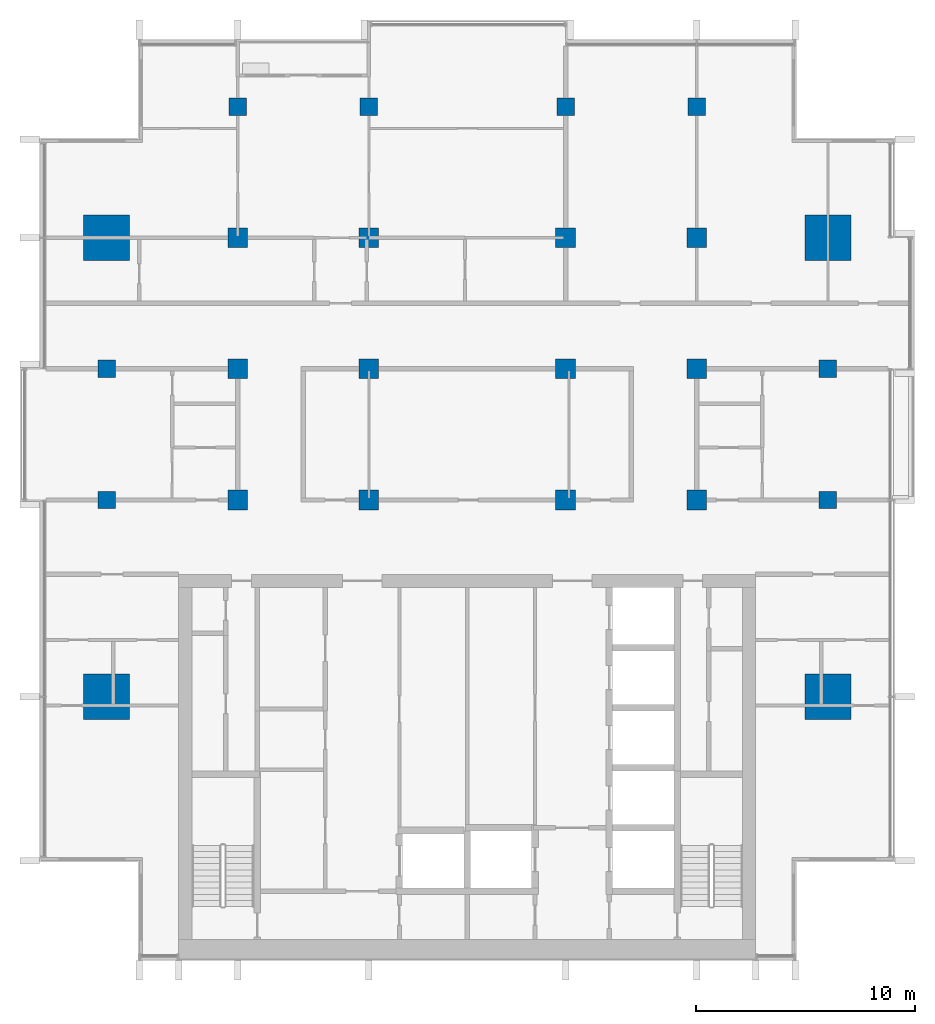
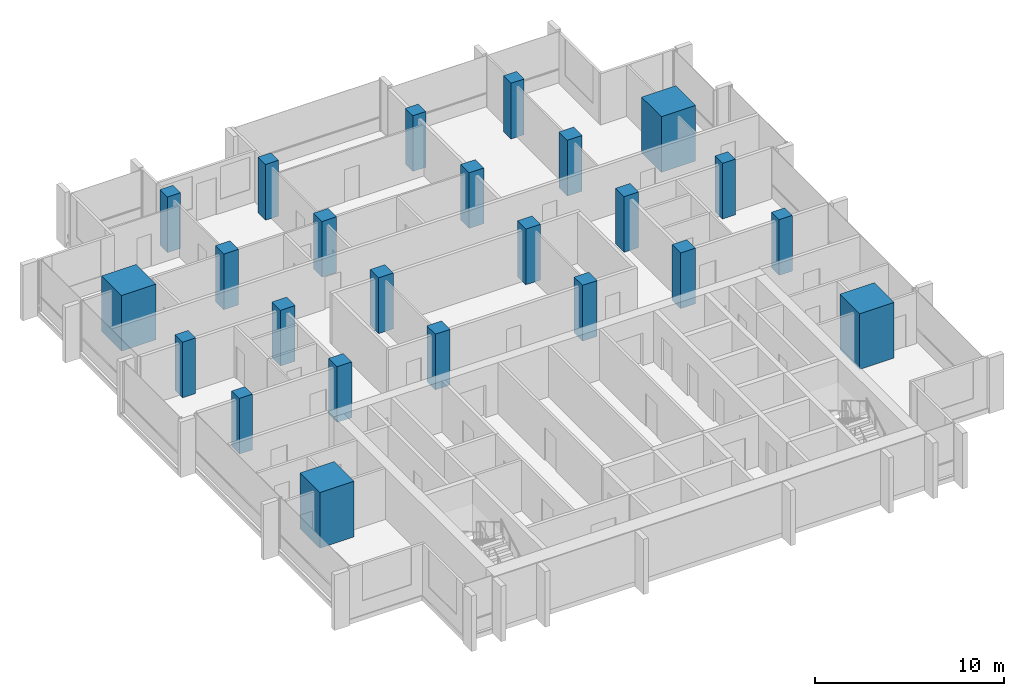
# One storey, part 1 of 15: 24 columns.
"""IFC4 building model written with IfcOpenShell, lengths in metres."""

from ifc_helpers import new_model, si_unit, direction, frame, origin, origin_2d, place, context, subcontext, project, spatial, rectangle, extrude, material, material_profile, profile_set, type_object, element, save


model = new_model("IFC4")

# Units and contexts
model_context = context("Model", 3, precision=1e-05, world=origin(), true_north=direction((0.0, 1.0)))
body_context = subcontext(model_context, "Body", "Model", "MODEL_VIEW")
ifc_project = project(units=[si_unit("LENGTHUNIT", "METRE"), si_unit("AREAUNIT", "SQUARE_METRE"), si_unit("VOLUMEUNIT", "CUBIC_METRE"), si_unit("PLANEANGLEUNIT", "RADIAN"), si_unit("MASSUNIT", "GRAM", prefix="KILO")], contexts=[model_context])

# Site, building, storey
site_placement = place(None, origin())
site = spatial("IfcSite", under=ifc_project, at=site_placement, CompositionType="ELEMENT")
building_placement = place(site_placement, origin())
building = spatial("IfcBuilding", under=site, at=building_placement, Name="Finial Court Residences", CompositionType="ELEMENT")
storey_placement = place(building_placement, frame((0.0, 0.0, 226.699951171875)))
storey = spatial("IfcBuildingStorey", under=building, at=storey_placement, Name="L57", CompositionType="ELEMENT", Elevation=226.699951171875)

# Columns
ifc_material = material(Name="Concrete C50/60", Category="concrete")
ifc_material_profile_1 = material_profile(ifc_material, rectangle(XDim=0.89990234375, YDim=0.89990234375, at=origin_2d()), Name="900x900")
ifc_profile_set_1 = profile_set([ifc_material_profile_1], Name="Concrete C50/60")
column_type_1 = type_object("IfcColumnType", Name="Interior column 900x900 Concrete C50/60", PredefinedType="COLUMN", material=ifc_profile_set_1)
for number, where, z_axis, x_axis, name in (
    (1, (-10.5, -4.5, 0.0), (0.0, 0.0, 1.0), (1.0, 0.0, 0.0), "S:COL:L57:D4"),
    (2, (-10.5, 1.5, 0.0), (0.0, 0.0, 1.0), (1.0, 0.0, 0.0), "S:COL:L57:D5"),
    (3, (-10.5, 7.5, 0.0), (0.0, 0.0, 1.0), (1.0, 0.0, 0.0), "S:COL:L57:D6"),
    (4, (-4.5, -4.5, 0.0), (0.0, 0.0, 1.0), (1.0, 0.0, 0.0), "S:COL:L57:E4"),
    (5, (-4.5, 1.5, 0.0), (0.0, 0.0, 1.0), (1.0, 0.0, 0.0), "S:COL:L57:E5"),
    (6, (-4.5, 7.5, 0.0), (0.0, 0.0, 1.0), (1.0, 0.0, 0.0), "S:COL:L57:E6"),
    (7, (4.5, -4.5, 0.0), (0.0, 0.0, 1.0), (1.0, 0.0, 0.0), "S:COL:L57:F4"),
    (8, (4.5, 1.5, 0.0), (0.0, 0.0, 1.0), (1.0, 0.0, 0.0), "S:COL:L57:F5"),
    (9, (4.5, 7.5, 0.0), (0.0, 0.0, 1.0), (1.0, 0.0, 0.0), "S:COL:L57:F6"),
    (10, (10.5, -4.5, 0.0), (0.0, 0.0, 1.0), (1.0, 0.0, 0.0), "S:COL:L57:G4"),
    (11, (10.5, 1.5, 0.0), (0.0, 0.0, 1.0), (1.0, 0.0, 0.0), "S:COL:L57:G5"),
    (12, (10.5, 7.5, 0.0), (0.0, 0.0, 1.0), (1.0, 0.0, 0.0), "S:COL:L57:G6"),
):
    element("IfcColumn", number, at=place(storey_placement, frame(where, z_axis=z_axis, x_axis=x_axis)), inside=storey, type_object=column_type_1, Name=name, PredefinedType="COLUMN", context=body_context, shape_type="SweptSolid", body=[
        extrude(rectangle(XDim=0.89990234375, YDim=0.89990234375, at=origin_2d()), origin(), (0.0, 0.0, 1.0), 3.60009765625),
    ])
ifc_material_profile_2 = material_profile(ifc_material, rectangle(XDim=2.10009765625, YDim=2.10009765625, at=origin_2d()), Name="2100x2100")
ifc_profile_set_2 = profile_set([ifc_material_profile_2], Name="Concrete C50/60")
column_type_2 = type_object("IfcColumnType", Name="Mega column 2100x2100 Concrete C50/60", PredefinedType="COLUMN", material=ifc_profile_set_2)
for number, where, z_axis, x_axis, name in (
    (13, (-16.5, -13.5, 0.0), (0.0, 0.0, 1.0), (1.0, 0.0, 0.0), "S:COL:L57:C3"),
    (14, (-16.5, 7.5, 0.0), (0.0, 0.0, 1.0), (1.0, 0.0, 0.0), "S:COL:L57:C6"),
    (15, (16.5, -13.5, 0.0), (0.0, 0.0, 1.0), (1.0, 0.0, 0.0), "S:COL:L57:H3"),
    (16, (16.5, 7.5, 0.0), (0.0, 0.0, 1.0), (1.0, 0.0, 0.0), "S:COL:L57:H6"),
):
    element("IfcColumn", number, at=place(storey_placement, frame(where, z_axis=z_axis, x_axis=x_axis)), inside=storey, type_object=column_type_2, Name=name, PredefinedType="COLUMN", context=body_context, shape_type="SweptSolid", body=[
        extrude(rectangle(XDim=2.10009765625, YDim=2.10009765625, at=origin_2d()), origin(), (0.0, 0.0, 1.0), 3.60009765625),
    ])
ifc_material_profile_3 = material_profile(ifc_material, rectangle(XDim=0.800048828125, YDim=0.800048828125, at=origin_2d()), Name="800x800")
ifc_profile_set_3 = profile_set([ifc_material_profile_3], Name="Concrete C50/60")
column_type_3 = type_object("IfcColumnType", Name="Perimeter column 800x800 Concrete C50/60", PredefinedType="COLUMN", material=ifc_profile_set_3)
for number, where, z_axis, x_axis, name in (
    (17, (-16.5, -4.5, 0.0), (0.0, 0.0, 1.0), (1.0, 0.0, 0.0), "S:COL:L57:C4"),
    (18, (-16.5, 1.5, 0.0), (0.0, 0.0, 1.0), (1.0, 0.0, 0.0), "S:COL:L57:C5"),
    (19, (-10.5, 13.5, 0.0), (0.0, 0.0, 1.0), (1.0, 0.0, 0.0), "S:COL:L57:D7"),
    (20, (-4.5, 13.5, 0.0), (0.0, 0.0, 1.0), (1.0, 0.0, 0.0), "S:COL:L57:E7"),
    (21, (4.5, 13.5, 0.0), (0.0, 0.0, 1.0), (1.0, 0.0, 0.0), "S:COL:L57:F7"),
    (22, (10.5, 13.5, 0.0), (0.0, 0.0, 1.0), (1.0, 0.0, 0.0), "S:COL:L57:G7"),
    (23, (16.5, -4.5, 0.0), (0.0, 0.0, 1.0), (1.0, 0.0, 0.0), "S:COL:L57:H4"),
    (24, (16.5, 1.5, 0.0), (0.0, 0.0, 1.0), (1.0, 0.0, 0.0), "S:COL:L57:H5"),
):
    element("IfcColumn", number, at=place(storey_placement, frame(where, z_axis=z_axis, x_axis=x_axis)), inside=storey, type_object=column_type_3, Name=name, PredefinedType="COLUMN", context=body_context, shape_type="SweptSolid", body=[
        extrude(rectangle(XDim=0.800048828125, YDim=0.800048828125, at=origin_2d()), origin(), (0.0, 0.0, 1.0), 3.60009765625),
    ])

save(model, "model.ifc")
